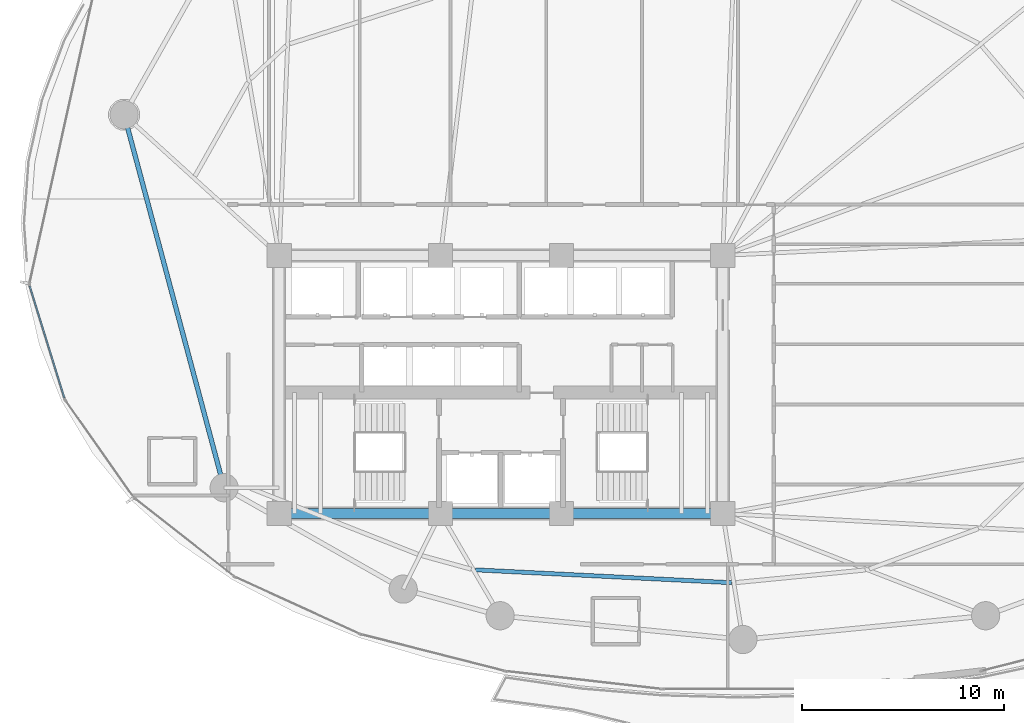
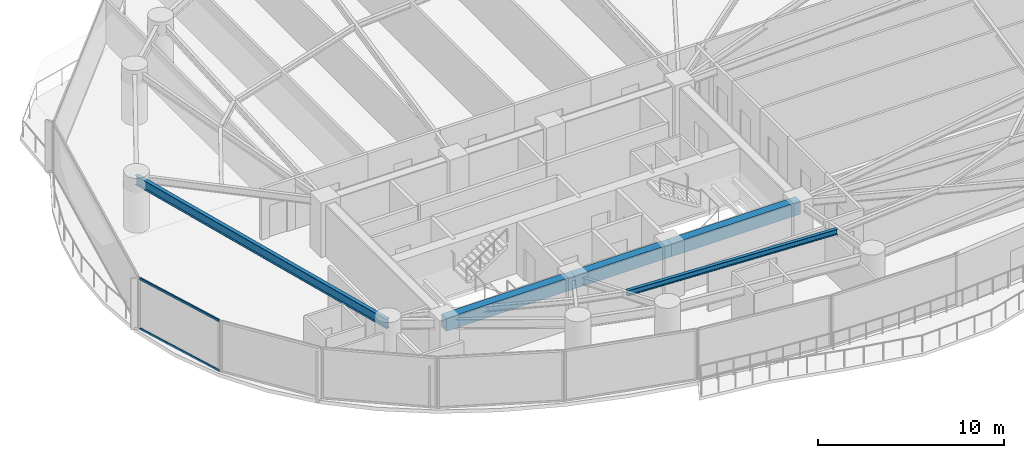
# One storey, part 7 of 33: 5 beams, 2 members, 1 element without a shape of its own.
"""IFC4 building model written with IfcOpenShell, lengths in metres."""

from ifc_helpers import new_model, si_unit, direction, frame, origin, origin_2d, place, context, subcontext, project, spatial, rectangle, hollow_rectangle, i_section, extrude, material, layer, layer_set, material_profile, profile_set, type_object, element, aggregate, save


model = new_model("IFC4")

# Units and contexts
model_context = context("Model", 3, precision=1e-05, world=origin(), true_north=direction((0.0, 1.0)))
body_context = subcontext(model_context, "Body", "Model", "MODEL_VIEW")
ifc_project = project(units=[si_unit("LENGTHUNIT", "METRE"), si_unit("AREAUNIT", "SQUARE_METRE"), si_unit("VOLUMEUNIT", "CUBIC_METRE"), si_unit("PLANEANGLEUNIT", "RADIAN"), si_unit("MASSUNIT", "GRAM", prefix="KILO")], contexts=[model_context])

# Site, building, storey
site_placement = place(None, origin())
site = spatial("IfcSite", under=ifc_project, at=site_placement, CompositionType="ELEMENT")
building_placement = place(site_placement, origin())
building = spatial("IfcBuilding", under=site, at=building_placement, Name="Kazevale Care Tower and Concert Hall", CompositionType="ELEMENT")
storey_placement = place(building_placement, frame((0.0, 0.0, 52.800048828125)))
storey = spatial("IfcBuildingStorey", under=building, at=storey_placement, Name="L13", CompositionType="ELEMENT", Elevation=52.800048828125)

# Curtain wall, members
ifc_material_1 = material(Name="Aluminium 6063-T6 and Low-E Glass", Category="aluminium")
ifc_layer = layer(ifc_material_1, 0.179931640625)
ifc_layer_set = layer_set([ifc_layer], Name="Aluminium 6063-T6 and Low-E Glass")
curtain_wall_type = type_object("IfcCurtainWallType", Name="Waist & Upper Residential Curtain Wall CW-4", PredefinedType="NOTDEFINED", material=ifc_layer_set)
curtain_wall_placement = place(storey_placement, origin())
curtain_wall = element("IfcCurtainWall", 1, at=curtain_wall_placement, inside=storey, type_object=curtain_wall_type, Name="cw:L13:f12", PredefinedType="NOTDEFINED")
ifc_material_2 = material(Name="Aluminium 6063-T6", Category="aluminium")
ifc_material_profile_1 = material_profile(ifc_material_2, hollow_rectangle(XDim=0.080078125, YDim=0.139892578125, WallThickness=0.00390625, at=origin_2d()), Name="ALU80x140x4")
ifc_profile_set_1 = profile_set([ifc_material_profile_1], Name="Aluminium 6063-T6")
member_type = type_object("IfcMemberType", Name="CW-4 Transom ALU80x140x4", PredefinedType="USERDEFINED", material=ifc_profile_set_1)
member_1_placement = place(storey_placement, frame((11.347412109375, 29.33447265625, 0.0400390625), z_axis=(-0.296117563823, 0.955151500232, 0.0), x_axis=(-0.955151500232, -0.296117563823, 0.0)))
member_1 = element("IfcMember", 2, at=member_1_placement, type_object=member_type, Name="CW-4 transom 1.1", ObjectType="TRANSOM", PredefinedType="USERDEFINED", context=body_context, shape_type="SweptSolid", body=[
    extrude(hollow_rectangle(XDim=0.080078125, YDim=0.139892578125, WallThickness=0.00390625, at=origin_2d()), origin(), (0.0, 0.0, 1.0), 5.8076171875),
])
member_2_placement = place(storey_placement, frame((11.347412109375, 29.33447265625, 3.320068359375), z_axis=(-0.296117563823, 0.955151500232, 0.0), x_axis=(-0.955151500232, -0.296117563823, 0.0)))
member_2 = element("IfcMember", 3, at=member_2_placement, type_object=member_type, Name="CW-4 transom 1.2", ObjectType="TRANSOM", PredefinedType="USERDEFINED", context=body_context, shape_type="SweptSolid", body=[
    extrude(hollow_rectangle(XDim=0.080078125, YDim=0.139892578125, WallThickness=0.00390625, at=origin_2d()), origin(), (0.0, 0.0, 1.0), 5.8076171875),
])
aggregate(curtain_wall, [member_1, member_2])

# Beams
ifc_material_3 = material(Name="Concrete C60", Category="concrete")
ifc_material_profile_2 = material_profile(ifc_material_3, rectangle(XDim=0.5, YDim=0.85009765625, at=origin_2d()), Name="RC-B500x850")
ifc_profile_set_2 = profile_set([ifc_material_profile_2], Name="Concrete C60")
beam_type_1 = type_object("IfcBeamType", Name="Core Coupling Beam RC500x850", PredefinedType="LINTEL", material=ifc_profile_set_2)
beam_1_placement = place(storey_placement, frame((22.0, 23.60009765625, 2.93505859375), z_axis=(1.0, 0.0, 0.0), x_axis=(0.0, 1.0, 0.0)))
element("IfcBeam", 4, at=beam_1_placement, inside=storey, type_object=beam_type_1, Name="beam:L13:coretie:1", PredefinedType="LINTEL", context=body_context, shape_type="SweptSolid", body=[
    extrude(rectangle(XDim=0.5, YDim=0.85009765625, at=origin_2d()), origin(), (0.0, 0.0, 1.0), 8.0),
])
beam_2_placement = place(storey_placement, frame((30.0, 23.60009765625, 2.93505859375), z_axis=(1.0, 0.0, 0.0), x_axis=(0.0, 1.0, 0.0)))
element("IfcBeam", 5, at=beam_2_placement, inside=storey, type_object=beam_type_1, Name="beam:L13:coretie:2", PredefinedType="LINTEL", context=body_context, shape_type="SweptSolid", body=[
    extrude(rectangle(XDim=0.5, YDim=0.85009765625, at=origin_2d()), origin(), (0.0, 0.0, 1.0), 6.0),
])
beam_3_placement = place(storey_placement, frame((36.0, 23.60009765625, 2.93505859375), z_axis=(1.0, 0.0, 0.0), x_axis=(0.0, 1.0, 0.0)))
element("IfcBeam", 6, at=beam_3_placement, inside=storey, type_object=beam_type_1, Name="beam:L13:coretie:3", PredefinedType="LINTEL", context=body_context, shape_type="SweptSolid", body=[
    extrude(rectangle(XDim=0.5, YDim=0.85009765625, at=origin_2d()), origin(), (0.0, 0.0, 1.0), 8.0),
])
ifc_material_4 = material(Name="Steel ASTM A572 Gr 50", Category="steel")
ifc_material_profile_3 = material_profile(ifc_material_4, i_section(OverallWidth=0.22900390625, OverallDepth=0.612060546875, WebThickness=0.011962890625, FlangeThickness=0.01953125, at=origin_2d()), Name="W610x125")
ifc_profile_set_3 = profile_set([ifc_material_profile_3], Name="Steel ASTM A572 Gr 50")
beam_type_2 = type_object("IfcBeamType", Name="Ring Spandrel Beam W610x125", PredefinedType="SPANDREL", material=ifc_profile_set_3)
beam_4_placement = place(storey_placement, frame((14.31005859375, 43.3798828125, 3.053955078125), z_axis=(0.258960352031, -0.965887952133, 0.0), x_axis=(0.965887952133, 0.258960352031, 0.0)))
element("IfcBeam", 7, at=beam_4_placement, inside=storey, type_object=beam_type_2, Name="beam:L13:ring:09", PredefinedType="SPANDREL", context=body_context, shape_type="SweptSolid", body=[
    extrude(i_section(OverallWidth=0.22900390625, OverallDepth=0.612060546875, WebThickness=0.011962890625, FlangeThickness=0.01953125, at=origin_2d()), origin(), (0.0, 0.0, 1.0), 19.1533203125),
])
ifc_material_profile_4 = material_profile(ifc_material_4, i_section(OverallWidth=0.205078125, OverallDepth=0.35400390625, WebThickness=0.009521484375, FlangeThickness=0.016845703125, at=origin_2d()), Name="W360x79")
ifc_profile_set_4 = profile_set([ifc_material_profile_4], Name="Steel ASTM A572 Gr 50")
beam_type_3 = type_object("IfcBeamType", Name="Secondary Floor Joist W360x79", PredefinedType="JOIST", material=ifc_profile_set_4)
beam_5_placement = place(storey_placement, frame((31.73291015625, 20.805908203125, 3.182861328125), z_axis=(0.998743186005, -0.050120339262, 0.0), x_axis=(0.050120339262, 0.998743186005, 0.0)))
element("IfcBeam", 8, at=beam_5_placement, inside=storey, type_object=beam_type_3, Name="beam:L13:joist:12", PredefinedType="JOIST", context=body_context, shape_type="SweptSolid", body=[
    extrude(i_section(OverallWidth=0.205078125, OverallDepth=0.35400390625, WebThickness=0.009521484375, FlangeThickness=0.016845703125, at=origin_2d()), origin(), (0.0, 0.0, 1.0), 12.728271484375),
])

save(model, "model.ifc")
